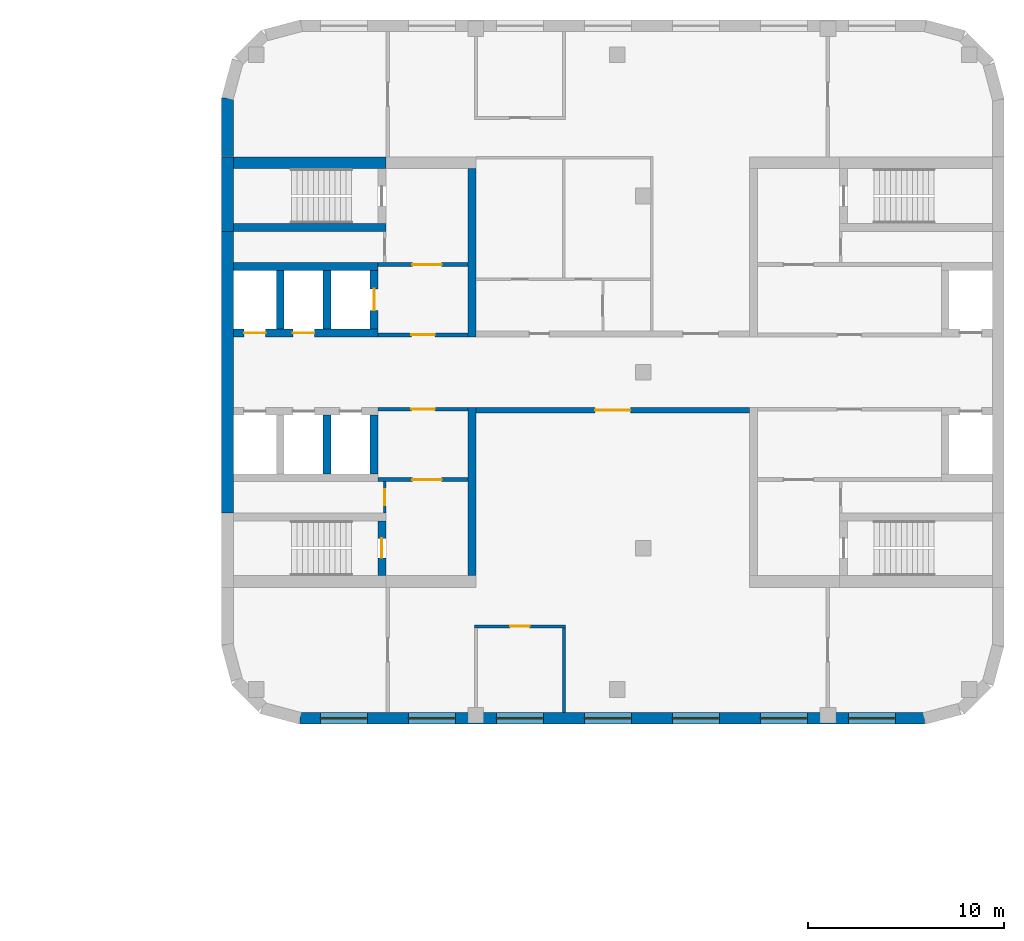
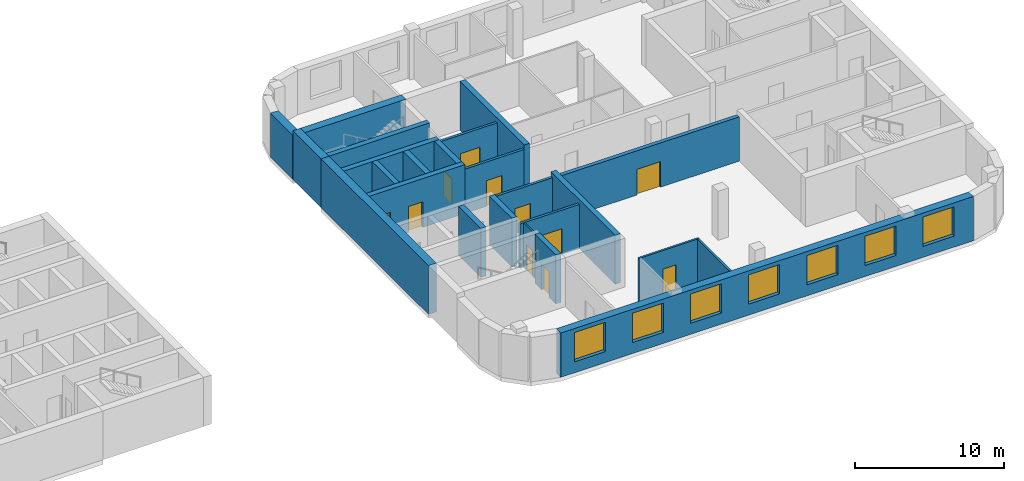
# One storey, part 7 of 12: 24 walls, 11 doors, 7 windows, 18 openings.
"""IFC4 building model written with IfcOpenShell, lengths in metres."""

from ifc_helpers import new_model, si_unit, direction, frame, frame_2d, origin, place, context, subcontext, project, spatial, rectangle, extrude, material, layer, layer_set, type_object, element, fill, save


model = new_model("IFC4")

# Units and contexts
model_context = context("Model", 3, precision=1e-05, world=origin(), true_north=direction((0.0, 1.0)))
body_context = subcontext(model_context, "Body", "Model", "MODEL_VIEW")
ifc_project = project(units=[si_unit("LENGTHUNIT", "METRE"), si_unit("AREAUNIT", "SQUARE_METRE"), si_unit("VOLUMEUNIT", "CUBIC_METRE"), si_unit("PLANEANGLEUNIT", "RADIAN"), si_unit("MASSUNIT", "GRAM", prefix="KILO")], contexts=[model_context])

# Site, building, storey
site_placement = place(None, origin())
site = spatial("IfcSite", under=ifc_project, at=site_placement, CompositionType="ELEMENT")
building_placement = place(site_placement, origin())
building = spatial("IfcBuilding", under=site, at=building_placement, Name="Skarvind Civic Tower", CompositionType="ELEMENT")
storey_placement = place(building_placement, frame((0.0, 0.0, 47.5)))
storey = spatial("IfcBuildingStorey", under=building, at=storey_placement, Name="L10", CompositionType="ELEMENT", Elevation=47.5)

# Wall, opening, door
ifc_material_1 = material(Name="Fire-rated gypsum board on steel studs", Category="steel")
ifc_layer_1 = layer(ifc_material_1, 0.300048828125)
ifc_layer_set_1 = layer_set([ifc_layer_1], Name="CORRIDOR WALL 300")
wall_type_1 = type_object("IfcWallType", Name="CORRIDOR WALL 300", PredefinedType="PARTITIONING", material=ifc_layer_set_1)
wall_1_placement = place(storey_placement, frame((154.0, 126.050048828125, 0.0), z_axis=(0.0, 0.0, 1.0), x_axis=(-1.0, 0.0, 0.0)))
wall_1 = element("IfcWall", 1, at=wall_1_placement, inside=storey, type_object=wall_type_1, Name="Partition 10.015", PredefinedType="PARTITIONING", context=body_context, shape_type="SweptSolid", body=[
    extrude(rectangle(XDim=14.0, YDim=0.300048828125, at=frame_2d((7.0, 0.0))), origin(), (0.0, 0.0, 1.0), 3.625),
])
opening_1_placement = place(wall_1_placement, frame((6.10009765625, 0.0, 0.0)))
opening_1 = element("IfcOpeningElement", 2, at=opening_1_placement, cuts=wall_1, Name="Opening L10-D109", PredefinedType="OPENING", context=body_context, shape_type="SweptSolid", body=[
    extrude(rectangle(XDim=1.800048828125, YDim=2.10009765625, at=frame_2d((0.89990234375, 1.050048828125))), frame((0.0, 0.159912109375, 0.0), z_axis=(0.0, -1.0, 0.0), x_axis=(1.0, 0.0, 0.0)), (0.0, 0.0, 1.0), 0.320068359375),
])
ifc_material_2 = material(Name="Fire-rated timber door leaf", Category="wood")
door_type_1 = type_object("IfcDoorType", Name="FD4 1800x2100", OperationType="NOTDEFINED", PredefinedType="DOOR", material=ifc_material_2)
door_1_placement = place(opening_1_placement, origin())
door_1 = element("IfcDoor", 3, at=door_1_placement, inside=storey, type_object=door_type_1, Name="Door L10-D109", OperationType="DOUBLE_DOOR_SINGLE_SWING", OverallHeight=2.10009765625, OverallWidth=1.800048828125, PredefinedType="DOOR", context=body_context, shape_type="SweptSolid", body=[
    extrude(rectangle(XDim=1.800048828125, YDim=2.10009765625, at=frame_2d((0.89990234375, 1.050048828125))), frame((0.0, 0.02490234375, 0.0), z_axis=(0.0, -1.0, 0.0), x_axis=(1.0, 0.0, 0.0)), (0.0, 0.0, 1.0), 0.050048828125),
])
fill(opening_1, door_1)

ifc_material_3 = material(Name="Fire-rated masonry partition", Category="masonry")
ifc_layer_2 = layer(ifc_material_3, 0.199951171875)
ifc_layer_set_2 = layer_set([ifc_layer_2], Name="Core enclosure wall 200")
wall_type_2 = type_object("IfcWallType", Name="Core enclosure wall 200", PredefinedType="PARTITIONING", material=ifc_layer_set_2)
wall_2_placement = place(storey_placement, frame((135.0, 129.89990234375, 0.0), z_axis=(0.0, 0.0, 1.0), x_axis=(1.0, 0.0, 0.0)))
wall_2 = element("IfcWall", 4, at=wall_2_placement, inside=storey, type_object=wall_type_2, Name="Core wall CA", PredefinedType="PARTITIONING", context=body_context, shape_type="SweptSolid", body=[
    extrude(rectangle(XDim=4.60009765625, YDim=0.199951171875, at=frame_2d((2.300048828125, 0.0))), origin(), (0.0, 0.0, 1.0), 3.625),
])
opening_2_placement = place(wall_2_placement, frame((1.699951171875, 0.0, 0.0)))
opening_2 = element("IfcOpeningElement", 5, at=opening_2_placement, cuts=wall_2, Name="Opening D-L10-CA-06", PredefinedType="OPENING", context=body_context, shape_type="SweptSolid", body=[
    extrude(rectangle(XDim=1.199951171875, YDim=2.10009765625, at=frame_2d((0.60009765625, 1.050048828125))), frame((0.0, 0.10986328125, 0.0), z_axis=(0.0, -1.0, 0.0), x_axis=(1.0, 0.0, 0.0)), (0.0, 0.0, 1.0), 0.219970703125),
])
ifc_material_4 = material(Name="Fire-rated steel door", Category="steel")
door_type_2 = type_object("IfcDoorType", Name="Core lobby door 1200", OperationType="NOTDEFINED", PredefinedType="DOOR", material=ifc_material_4)
door_2_placement = place(opening_2_placement, origin())
door_2 = element("IfcDoor", 6, at=door_2_placement, inside=storey, type_object=door_type_2, Name="Fire door", OperationType="DOUBLE_DOOR_SINGLE_SWING", OverallHeight=2.10009765625, OverallWidth=1.199951171875, PredefinedType="DOOR", context=body_context, shape_type="SweptSolid", body=[
    extrude(rectangle(XDim=1.199951171875, YDim=2.10009765625, at=frame_2d((0.60009765625, 1.050048828125))), frame((0.0, 0.02490234375, 0.0), z_axis=(0.0, -1.0, 0.0), x_axis=(1.0, 0.0, 0.0)), (0.0, 0.0, 1.0), 0.050048828125),
])
fill(opening_2, door_2)

wall_3_placement = place(storey_placement, frame((135.0, 133.5, 0.0), z_axis=(0.0, 0.0, 1.0), x_axis=(1.0, 0.0, 0.0)))
wall_3 = element("IfcWall", 7, at=wall_3_placement, inside=storey, type_object=wall_type_2, Name="Core wall CA", PredefinedType="PARTITIONING", context=body_context, shape_type="SweptSolid", body=[
    extrude(rectangle(XDim=4.60009765625, YDim=0.199951171875, at=frame_2d((2.300048828125, 0.0))), origin(), (0.0, 0.0, 1.0), 3.625),
])
opening_3_placement = place(wall_3_placement, frame((1.75, 0.0, 0.0)))
opening_3 = element("IfcOpeningElement", 8, at=opening_3_placement, cuts=wall_3, Name="Opening D-L10-CA-07", PredefinedType="OPENING", context=body_context, shape_type="SweptSolid", body=[
    extrude(rectangle(XDim=1.5, YDim=2.10009765625, at=frame_2d((0.75, 1.050048828125))), frame((0.0, 0.10986328125, 0.0), z_axis=(0.0, -1.0, 0.0), x_axis=(1.0, 0.0, 0.0)), (0.0, 0.0, 1.0), 0.219970703125),
])
door_type_3 = type_object("IfcDoorType", Name="Fire door 1500", OperationType="NOTDEFINED", PredefinedType="DOOR", material=ifc_material_4)
door_3_placement = place(opening_3_placement, origin())
door_3 = element("IfcDoor", 9, at=door_3_placement, inside=storey, type_object=door_type_3, Name="Fire door", OperationType="DOUBLE_DOOR_SINGLE_SWING", OverallHeight=2.10009765625, OverallWidth=1.5, PredefinedType="DOOR", context=body_context, shape_type="SweptSolid", body=[
    extrude(rectangle(XDim=1.5, YDim=2.10009765625, at=frame_2d((0.75, 1.050048828125))), frame((0.0, 0.02490234375, 0.0), z_axis=(0.0, -1.0, 0.0), x_axis=(1.0, 0.0, 0.0)), (0.0, 0.0, 1.0), 0.050048828125),
])
fill(opening_3, door_3)

wall_4_placement = place(storey_placement, frame((139.60009765625, 126.10009765625, 0.0), z_axis=(0.0, 0.0, 1.0), x_axis=(-1.0, 0.0, 0.0)))
wall_4 = element("IfcWall", 10, at=wall_4_placement, inside=storey, type_object=wall_type_2, Name="Core wall CA", PredefinedType="PARTITIONING", context=body_context, shape_type="SweptSolid", body=[
    extrude(rectangle(XDim=4.60009765625, YDim=0.199951171875, at=frame_2d((2.300048828125, 0.0))), origin(), (0.0, 0.0, 1.0), 3.625),
])
opening_4_placement = place(wall_4_placement, frame((1.699951171875, 0.0, 0.0)))
opening_4 = element("IfcOpeningElement", 11, at=opening_4_placement, cuts=wall_4, Name="Opening D-L10-CA-10", PredefinedType="OPENING", context=body_context, shape_type="SweptSolid", body=[
    extrude(rectangle(XDim=1.199951171875, YDim=2.10009765625, at=frame_2d((0.60009765625, 1.050048828125))), frame((0.0, 0.10986328125, 0.0), z_axis=(0.0, -1.0, 0.0), x_axis=(1.0, 0.0, 0.0)), (0.0, 0.0, 1.0), 0.219970703125),
])
door_4_placement = place(opening_4_placement, origin())
door_4 = element("IfcDoor", 12, at=door_4_placement, inside=storey, type_object=door_type_2, Name="Fire door", OperationType="DOUBLE_DOOR_SINGLE_SWING", OverallHeight=2.10009765625, OverallWidth=1.199951171875, PredefinedType="DOOR", context=body_context, shape_type="SweptSolid", body=[
    extrude(rectangle(XDim=1.199951171875, YDim=2.10009765625, at=frame_2d((0.60009765625, 1.050048828125))), frame((0.0, 0.02490234375, 0.0), z_axis=(0.0, -1.0, 0.0), x_axis=(1.0, 0.0, 0.0)), (0.0, 0.0, 1.0), 0.050048828125),
])
fill(opening_4, door_4)

wall_5_placement = place(storey_placement, frame((139.60009765625, 122.5, 0.0), z_axis=(0.0, 0.0, 1.0), x_axis=(-1.0, 0.0, 0.0)))
wall_5 = element("IfcWall", 13, at=wall_5_placement, inside=storey, type_object=wall_type_2, Name="Core wall CA", PredefinedType="PARTITIONING", context=body_context, shape_type="SweptSolid", body=[
    extrude(rectangle(XDim=4.60009765625, YDim=0.199951171875, at=frame_2d((2.300048828125, 0.0))), origin(), (0.0, 0.0, 1.0), 3.625),
])
opening_5_placement = place(wall_5_placement, frame((1.35009765625, 0.0, 0.0)))
opening_5 = element("IfcOpeningElement", 14, at=opening_5_placement, cuts=wall_5, Name="Opening D-L10-CA-11", PredefinedType="OPENING", context=body_context, shape_type="SweptSolid", body=[
    extrude(rectangle(XDim=1.5, YDim=2.10009765625, at=frame_2d((0.75, 1.050048828125))), frame((0.0, 0.10986328125, 0.0), z_axis=(0.0, -1.0, 0.0), x_axis=(1.0, 0.0, 0.0)), (0.0, 0.0, 1.0), 0.219970703125),
])
door_5_placement = place(opening_5_placement, origin())
door_5 = element("IfcDoor", 15, at=door_5_placement, inside=storey, type_object=door_type_3, Name="Fire door", OperationType="DOUBLE_DOOR_SINGLE_SWING", OverallHeight=2.10009765625, OverallWidth=1.5, PredefinedType="DOOR", context=body_context, shape_type="SweptSolid", body=[
    extrude(rectangle(XDim=1.5, YDim=2.10009765625, at=frame_2d((0.75, 1.050048828125))), frame((0.0, 0.02490234375, 0.0), z_axis=(0.0, -1.0, 0.0), x_axis=(1.0, 0.0, 0.0)), (0.0, 0.0, 1.0), 0.050048828125),
])
fill(opening_5, door_5)

ifc_material_5 = material(Name="Concrete C80", Category="concrete")
ifc_layer_3 = layer(ifc_material_5, 0.39990234375)
ifc_layer_set_3 = layer_set([ifc_layer_3], Name="Core wall 400 C80")
wall_type_3 = type_object("IfcWallType", Name="Core wall 400 C80", PredefinedType="SHEAR", material=ifc_layer_set_3)
wall_6_placement = place(storey_placement, frame((135.199951171875, 117.60009765625, 0.0), z_axis=(0.0, 0.0, 1.0), x_axis=(0.0, 1.0, 0.0)))
wall_6 = element("IfcWall", 16, at=wall_6_placement, inside=storey, type_object=wall_type_3, Name="Core wall CA south stair end L10", PredefinedType="SHEAR", context=body_context, shape_type="SweptSolid", body=[
    extrude(rectangle(XDim=2.7998046875, YDim=0.39990234375, at=frame_2d((1.39990234375, 0.0))), origin(), (0.0, 0.0, 1.0), 4.0),
])
opening_6_placement = place(wall_6_placement, frame((0.89990234375, 0.0, 0.0)))
opening_6 = element("IfcOpeningElement", 17, at=opening_6_placement, cuts=wall_6, Name="Opening D-L10-CA-12", PredefinedType="OPENING", context=body_context, shape_type="SweptSolid", body=[
    extrude(rectangle(XDim=1.0, YDim=2.10009765625, at=frame_2d((0.5, 1.050048828125))), frame((0.0, 0.2099609375, 0.0), z_axis=(0.0, -1.0, 0.0), x_axis=(1.0, 0.0, 0.0)), (0.0, 0.0, 1.0), 0.419921875),
])
door_type_4 = type_object("IfcDoorType", Name="Fire door 1000", OperationType="NOTDEFINED", PredefinedType="DOOR", material=ifc_material_4)
door_6_placement = place(opening_6_placement, origin())
door_6 = element("IfcDoor", 18, at=door_6_placement, inside=storey, type_object=door_type_4, Name="Fire door", OperationType="SINGLE_SWING_RIGHT", OverallHeight=2.10009765625, OverallWidth=1.0, PredefinedType="DOOR", context=body_context, shape_type="SweptSolid", body=[
    extrude(rectangle(XDim=1.0, YDim=2.10009765625, at=frame_2d((0.5, 1.050048828125))), frame((0.0, 0.02490234375, 0.0), z_axis=(0.0, -1.0, 0.0), x_axis=(1.0, 0.0, 0.0)), (0.0, 0.0, 1.0), 0.050048828125),
])
fill(opening_6, door_6)

# Walls
wall_7_placement = place(storey_placement, frame((127.60009765625, 135.39990234375, 0.0), z_axis=(0.0, 0.0, 1.0), x_axis=(1.0, 0.0, 0.0)))
element("IfcWall", 19, at=wall_7_placement, inside=storey, type_object=wall_type_3, Name="Core wall CA north stair inner L10", PredefinedType="SHEAR", context=body_context, shape_type="SweptSolid", body=[
    extrude(rectangle(XDim=7.7998046875, YDim=0.39990234375, at=frame_2d((3.89990234375, 0.0))), origin(), (0.0, 0.0, 1.0), 4.0),
])
for number, where, z_axis, x_axis, name in (
    (20, (132.39990234375, 122.800048828125, 0.0), (0.0, 0.0, 1.0), (0.0, 1.0, 0.0), "Core wall CA south lift row division 2 L10"),
    (21, (134.800048828125, 122.800048828125, 0.0), (0.0, 0.0, 1.0), (0.0, 1.0, 0.0), "Core wall CA south lift row division 3 L10"),
):
    element("IfcWall", number, at=place(storey_placement, frame(where, z_axis=z_axis, x_axis=x_axis)), inside=storey, type_object=wall_type_3, Name=name, PredefinedType="SHEAR", context=body_context, shape_type="SweptSolid", body=[
        extrude(rectangle(XDim=3.0, YDim=0.39990234375, at=frame_2d((1.5, 0.0))), origin(), (0.0, 0.0, 1.0), 4.0),
    ])

# Wall, openings, doors
wall_8_placement = place(storey_placement, frame((127.60009765625, 130.0, 0.0), z_axis=(0.0, 0.0, 1.0), x_axis=(1.0, 0.0, 0.0)))
wall_8 = element("IfcWall", 22, at=wall_8_placement, inside=storey, type_object=wall_type_3, Name="Core wall CA north lift row front L10", PredefinedType="SHEAR", context=body_context, shape_type="SweptSolid", body=[
    extrude(rectangle(XDim=7.39990234375, YDim=0.39990234375, at=frame_2d((3.699951171875, 0.0))), origin(), (0.0, 0.0, 1.0), 4.0),
])
opening_7_placement = place(wall_8_placement, frame((0.550048828125, 0.0, 0.0)))
opening_7 = element("IfcOpeningElement", 23, at=opening_7_placement, cuts=wall_8, Name="Opening LD12301", PredefinedType="OPENING", context=body_context, shape_type="SweptSolid", body=[
    extrude(rectangle(XDim=1.10009765625, YDim=2.10009765625, at=frame_2d((0.550048828125, 1.050048828125))), frame((0.0, 0.2099609375, 0.0), z_axis=(0.0, -1.0, 0.0), x_axis=(1.0, 0.0, 0.0)), (0.0, 0.0, 1.0), 0.419921875),
])
opening_8_placement = place(wall_8_placement, frame((3.050048828125, 0.0, 0.0)))
opening_8 = element("IfcOpeningElement", 24, at=opening_8_placement, cuts=wall_8, Name="Opening LD12302", PredefinedType="OPENING", context=body_context, shape_type="SweptSolid", body=[
    extrude(rectangle(XDim=1.10009765625, YDim=2.10009765625, at=frame_2d((0.550048828125, 1.050048828125))), frame((0.0, 0.2099609375, 0.0), z_axis=(0.0, -1.0, 0.0), x_axis=(1.0, 0.0, 0.0)), (0.0, 0.0, 1.0), 0.419921875),
])
ifc_material_6 = material(Name="Stainless steel landing door", Category="steel")
door_type_5 = type_object("IfcDoorType", Name="Lift landing door 1100", OperationType="DOUBLE_DOOR_SLIDING", PredefinedType="DOOR", material=ifc_material_6)
door_7_placement = place(opening_7_placement, origin())
door_7 = element("IfcDoor", 25, at=door_7_placement, inside=storey, type_object=door_type_5, Name="Lift landing door", OperationType="DOUBLE_DOOR_SLIDING", OverallHeight=2.10009765625, OverallWidth=1.10009765625, PredefinedType="DOOR", context=body_context, shape_type="SweptSolid", body=[
    extrude(rectangle(XDim=1.10009765625, YDim=2.10009765625, at=frame_2d((0.550048828125, 1.050048828125))), frame((0.0, 0.02490234375, 0.0), z_axis=(0.0, -1.0, 0.0), x_axis=(1.0, 0.0, 0.0)), (0.0, 0.0, 1.0), 0.050048828125),
])
fill(opening_7, door_7)
door_8_placement = place(opening_8_placement, origin())
door_8 = element("IfcDoor", 26, at=door_8_placement, inside=storey, type_object=door_type_5, Name="Lift landing door", OperationType="DOUBLE_DOOR_SLIDING", OverallHeight=2.10009765625, OverallWidth=1.10009765625, PredefinedType="DOOR", context=body_context, shape_type="SweptSolid", body=[
    extrude(rectangle(XDim=1.10009765625, YDim=2.10009765625, at=frame_2d((0.550048828125, 1.050048828125))), frame((0.0, 0.02490234375, 0.0), z_axis=(0.0, -1.0, 0.0), x_axis=(1.0, 0.0, 0.0)), (0.0, 0.0, 1.0), 0.050048828125),
])
fill(opening_8, door_8)

# Walls
wall_9_placement = place(storey_placement, frame((127.60009765625, 133.39990234375, 0.0), z_axis=(0.0, 0.0, 1.0), x_axis=(1.0, 0.0, 0.0)))
element("IfcWall", 27, at=wall_9_placement, inside=storey, type_object=wall_type_3, Name="Core wall CA north lift row back L10", PredefinedType="SHEAR", context=body_context, shape_type="SweptSolid", body=[
    extrude(rectangle(XDim=7.39990234375, YDim=0.39990234375, at=frame_2d((3.699951171875, 0.0))), origin(), (0.0, 0.0, 1.0), 4.0),
])
for number, where, z_axis, x_axis, name in (
    (28, (130.0, 130.199951171875, 0.0), (0.0, 0.0, 1.0), (0.0, 1.0, 0.0), "Core wall CA north lift row division 1 L10"),
    (29, (132.39990234375, 130.199951171875, 0.0), (0.0, 0.0, 1.0), (0.0, 1.0, 0.0), "Core wall CA north lift row division 2 L10"),
):
    element("IfcWall", number, at=place(storey_placement, frame(where, z_axis=z_axis, x_axis=x_axis)), inside=storey, type_object=wall_type_3, Name=name, PredefinedType="SHEAR", context=body_context, shape_type="SweptSolid", body=[
        extrude(rectangle(XDim=3.0, YDim=0.39990234375, at=frame_2d((1.5, 0.0))), origin(), (0.0, 0.0, 1.0), 4.0),
    ])

# Wall, opening, door
wall_10_placement = place(storey_placement, frame((134.800048828125, 130.199951171875, 0.0), z_axis=(0.0, 0.0, 1.0), x_axis=(0.0, 1.0, 0.0)))
wall_10 = element("IfcWall", 30, at=wall_10_placement, inside=storey, type_object=wall_type_3, Name="Core wall CA north lift row division 3 L10", PredefinedType="SHEAR", context=body_context, shape_type="SweptSolid", body=[
    extrude(rectangle(XDim=3.0, YDim=0.39990234375, at=frame_2d((1.5, 0.0))), origin(), (0.0, 0.0, 1.0), 4.0),
])
opening_9_placement = place(wall_10_placement, frame((0.949951171875, 0.0, 0.0)))
opening_9 = element("IfcOpeningElement", 31, at=opening_9_placement, cuts=wall_10, Name="Opening LD12303", PredefinedType="OPENING", context=body_context, shape_type="SweptSolid", body=[
    extrude(rectangle(XDim=1.10009765625, YDim=2.10009765625, at=frame_2d((0.550048828125, 1.050048828125))), frame((0.0, 0.2099609375, 0.0), z_axis=(0.0, -1.0, 0.0), x_axis=(1.0, 0.0, 0.0)), (0.0, 0.0, 1.0), 0.419921875),
])
door_9_placement = place(opening_9_placement, origin())
door_9 = element("IfcDoor", 32, at=door_9_placement, inside=storey, type_object=door_type_5, Name="Lift landing door", OperationType="DOUBLE_DOOR_SLIDING", OverallHeight=2.10009765625, OverallWidth=1.10009765625, PredefinedType="DOOR", context=body_context, shape_type="SweptSolid", body=[
    extrude(rectangle(XDim=1.10009765625, YDim=2.10009765625, at=frame_2d((0.550048828125, 1.050048828125))), frame((0.0, 0.02490234375, 0.0), z_axis=(0.0, -1.0, 0.0), x_axis=(1.0, 0.0, 0.0)), (0.0, 0.0, 1.0), 0.050048828125),
])
fill(opening_9, door_9)

# Walls
for number, where, z_axis, x_axis, name in (
    (33, (139.800048828125, 117.60009765625, 0.0), (0.0, 0.0, 1.0), (0.0, 1.0, 0.0), "Core wall CA south inner face L10"),
    (34, (139.800048828125, 129.800048828125, 0.0), (0.0, 0.0, 1.0), (0.0, 1.0, 0.0), "Core wall CA north inner face L10"),
):
    element("IfcWall", number, at=place(storey_placement, frame(where, z_axis=z_axis, x_axis=x_axis)), inside=storey, type_object=wall_type_3, Name=name, PredefinedType="SHEAR", context=body_context, shape_type="SweptSolid", body=[
        extrude(rectangle(XDim=8.599853515625, YDim=0.39990234375, at=frame_2d((4.2998046875, 0.0))), origin(), (0.0, 0.0, 1.0), 4.0),
    ])
ifc_layer_4 = layer(ifc_material_5, 0.60009765625)
ifc_layer_set_4 = layer_set([ifc_layer_4], Name="Core wall 600 C80")
wall_type_4 = type_object("IfcWallType", Name="Core wall 600 C80", PredefinedType="SHEAR", material=ifc_layer_set_4)
wall_11_placement = place(storey_placement, frame((127.300048828125, 120.800048828125, 0.0), z_axis=(0.0, 0.0, 1.0), x_axis=(0.0, 1.0, 0.0)))
element("IfcWall", 35, at=wall_11_placement, inside=storey, type_object=wall_type_4, Name="Core wall CA tip between the stairs L10", PredefinedType="SHEAR", context=body_context, shape_type="SweptSolid", body=[
    extrude(rectangle(XDim=14.39990234375, YDim=0.60009765625, at=frame_2d((7.199951171875, 0.0))), origin(), (0.0, 0.0, 1.0), 4.0),
])
wall_12_placement = place(storey_placement, frame((127.300048828125, 135.199951171875, 0.0), z_axis=(0.0, 0.0, 1.0), x_axis=(0.0, 1.0, 0.0)))
element("IfcWall", 36, at=wall_12_placement, inside=storey, type_object=wall_type_4, Name="Core wall CA tip at the north stair L10", PredefinedType="SHEAR", context=body_context, shape_type="SweptSolid", body=[
    extrude(rectangle(XDim=3.800048828125, YDim=0.60009765625, at=frame_2d((1.89990234375, 0.0))), origin(), (0.0, 0.0, 1.0), 4.0),
])
wall_13_placement = place(storey_placement, frame((127.60009765625, 138.699951171875, 0.0), z_axis=(0.0, 0.0, 1.0), x_axis=(1.0, 0.0, 0.0)))
element("IfcWall", 37, at=wall_13_placement, inside=storey, type_object=wall_type_4, Name="Core wall CA north side at the stair L10", PredefinedType="SHEAR", context=body_context, shape_type="SweptSolid", body=[
    extrude(rectangle(XDim=7.7998046875, YDim=0.60009765625, at=frame_2d((3.89990234375, 0.0))), origin(), (0.0, 0.0, 1.0), 4.0),
])

# Wall, opening, door
ifc_material_7 = material(Name="Plasterboard partition on steel studs", Category="steel")
ifc_layer_5 = layer(ifc_material_7, 0.14990234375)
ifc_layer_set_5 = layer_set([ifc_layer_5], Name="PARTITION 150")
wall_type_5 = type_object("IfcWallType", Name="PARTITION 150", PredefinedType="PARTITIONING", material=ifc_layer_set_5)
wall_14_placement = place(storey_placement, frame((139.925048828125, 115.0, 0.0), z_axis=(0.0, 0.0, 1.0), x_axis=(1.0, 0.0, 0.0)))
wall_14 = element("IfcWall", 38, at=wall_14_placement, inside=storey, type_object=wall_type_5, Name="Partition 10.004", PredefinedType="PARTITIONING", context=body_context, shape_type="SweptSolid", body=[
    extrude(rectangle(XDim=4.64990234375, YDim=0.14990234375, at=frame_2d((2.324951171875, 0.0))), origin(), (0.0, 0.0, 1.0), 3.625),
])
opening_10_placement = place(wall_14_placement, frame((1.824951171875, 0.0, 0.0)))
opening_10 = element("IfcOpeningElement", 39, at=opening_10_placement, cuts=wall_14, Name="Opening L10-D110", PredefinedType="OPENING", context=body_context, shape_type="SweptSolid", body=[
    extrude(rectangle(XDim=1.0, YDim=2.10009765625, at=frame_2d((0.5, 1.050048828125))), frame((0.0, 0.0849609375, 0.0), z_axis=(0.0, -1.0, 0.0), x_axis=(1.0, 0.0, 0.0)), (0.0, 0.0, 1.0), 0.169921875),
])
ifc_material_8 = material(Name="Timber door leaf", Category="wood")
door_type_6 = type_object("IfcDoorType", Name="D1 1000x2100", OperationType="NOTDEFINED", PredefinedType="DOOR", material=ifc_material_8)
door_10_placement = place(opening_10_placement, origin())
door_10 = element("IfcDoor", 40, at=door_10_placement, inside=storey, type_object=door_type_6, Name="Door L10-D110", OperationType="SINGLE_SWING_LEFT", OverallHeight=2.10009765625, OverallWidth=1.0, PredefinedType="DOOR", context=body_context, shape_type="SweptSolid", body=[
    extrude(rectangle(XDim=1.0, YDim=2.10009765625, at=frame_2d((0.5, 1.050048828125))), frame((0.0, 0.02490234375, 0.0), z_axis=(0.0, -1.0, 0.0), x_axis=(1.0, 0.0, 0.0)), (0.0, 0.0, 1.0), 0.050048828125),
])
fill(opening_10, door_10)

# Wall
wall_15_placement = place(storey_placement, frame((144.5, 114.925048828125, 0.0), z_axis=(0.0, 0.0, 1.0), x_axis=(0.0, -1.0, 0.0)))
element("IfcWall", 41, at=wall_15_placement, inside=storey, type_object=wall_type_5, Name="Partition 10.009", PredefinedType="PARTITIONING", context=body_context, shape_type="SweptSolid", body=[
    extrude(rectangle(XDim=4.324951171875, YDim=0.14990234375, at=frame_2d((2.16259765625, 0.0))), origin(), (0.0, 0.0, 1.0), 3.625),
])

# Wall, opening, door
ifc_layer_6 = layer(ifc_material_3, 0.125)
ifc_layer_set_6 = layer_set([ifc_layer_6], Name="Riser wall 125")
wall_type_6 = type_object("IfcWallType", Name="Riser wall 125", PredefinedType="PARTITIONING", material=ifc_layer_set_6)
wall_16_placement = place(storey_placement, frame((135.33740234375, 122.39990234375, 0.0), z_axis=(0.0, 0.0, 1.0), x_axis=(0.0, -1.0, 0.0)))
wall_16 = element("IfcWall", 42, at=wall_16_placement, inside=storey, type_object=wall_type_6, Name="Core wall CA", PredefinedType="PARTITIONING", context=body_context, shape_type="SweptSolid", body=[
    extrude(rectangle(XDim=1.599853515625, YDim=0.125, at=frame_2d((0.7998046875, 0.0))), origin(), (0.0, 0.0, 1.0), 3.625),
])
opening_11_placement = place(wall_16_placement, frame((0.39990234375, 0.0, 0.0)))
opening_11 = element("IfcOpeningElement", 43, at=opening_11_placement, cuts=wall_16, Name="Opening D-L10-CA-13", PredefinedType="OPENING", context=body_context, shape_type="SweptSolid", body=[
    extrude(rectangle(XDim=0.800048828125, YDim=2.10009765625, at=frame_2d((0.39990234375, 1.050048828125))), frame((0.0, 0.072509765625, 0.0), z_axis=(0.0, -1.0, 0.0), x_axis=(1.0, 0.0, 0.0)), (0.0, 0.0, 1.0), 0.14501953125),
])
door_type_7 = type_object("IfcDoorType", Name="Core riser door 800", OperationType="NOTDEFINED", PredefinedType="DOOR", material=ifc_material_4)
door_11_placement = place(opening_11_placement, origin())
door_11 = element("IfcDoor", 44, at=door_11_placement, inside=storey, type_object=door_type_7, Name="Riser door", OperationType="SINGLE_SWING_LEFT", OverallHeight=2.10009765625, OverallWidth=0.800048828125, PredefinedType="DOOR", context=body_context, shape_type="SweptSolid", body=[
    extrude(rectangle(XDim=0.800048828125, YDim=2.10009765625, at=frame_2d((0.39990234375, 1.050048828125))), frame((0.0, 0.02490234375, 0.0), z_axis=(0.0, -1.0, 0.0), x_axis=(1.0, 0.0, 0.0)), (0.0, 0.0, 1.0), 0.050048828125),
])
fill(opening_11, door_11)

# Wall
ifc_material_9 = material(Name="Limestone masonry cladding on insulated backing", Category="masonry")
ifc_layer_7 = layer(ifc_material_9, 0.60009765625)
ifc_layer_set_7 = layer_set([ifc_layer_7], Name="WX1 STONE FACADE WALL 600")
wall_type_7 = type_object("IfcWallType", Name="WX1 STONE FACADE WALL 600", PredefinedType="SOLIDWALL", material=ifc_layer_set_7)
wall_17_placement = place(storey_placement, frame((127.300048828125, 139.02001953125, 0.0), z_axis=(0.0, 0.0, 1.0), x_axis=(0.0, 1.0, 0.0)))
element("IfcWall", 45, at=wall_17_placement, inside=storey, type_object=wall_type_7, Name="STONE FACADE WALL", PredefinedType="SOLIDWALL", context=body_context, shape_type="SweptSolid", body=[
    extrude(rectangle(XDim=2.97998046875, YDim=0.60009765625, at=frame_2d((1.489990234375, 0.0))), origin(), (0.0, 0.0, 1.0), 3.625),
])

# Wall, openings, windows
wall_18_placement = place(storey_placement, frame((162.929931640625, 110.300048828125, 0.0), z_axis=(0.0, 0.0, 1.0), x_axis=(-1.0, 0.0, 0.0)))
wall_18 = element("IfcWall", 46, at=wall_18_placement, inside=storey, type_object=wall_type_7, Name="STONE FACADE WALL", PredefinedType="SOLIDWALL", context=body_context, shape_type="SweptSolid", body=[
    extrude(rectangle(XDim=31.929931640625, YDim=0.60009765625, at=frame_2d((15.96484375, 0.0))), origin(), (0.0, 0.0, 1.0), 3.625),
])
opening_12_placement = place(wall_18_placement, frame((1.47998046875, 0.0, 0.89990234375)))
opening_12 = element("IfcOpeningElement", 47, at=opening_12_placement, cuts=wall_18, Name="Opening WN9", PredefinedType="OPENING", context=body_context, shape_type="SweptSolid", body=[
    extrude(rectangle(XDim=2.39990234375, YDim=2.39990234375, at=frame_2d((1.199951171875, 1.199951171875))), frame((0.0, 0.31005859375, 0.0), z_axis=(0.0, -1.0, 0.0), x_axis=(1.0, 0.0, 0.0)), (0.0, 0.0, 1.0), 0.6201171875),
])
opening_13_placement = place(wall_18_placement, frame((5.97998046875, 0.0, 0.89990234375)))
opening_13 = element("IfcOpeningElement", 48, at=opening_13_placement, cuts=wall_18, Name="Opening WN9", PredefinedType="OPENING", context=body_context, shape_type="SweptSolid", body=[
    extrude(rectangle(XDim=2.39990234375, YDim=2.39990234375, at=frame_2d((1.199951171875, 1.199951171875))), frame((0.0, 0.31005859375, 0.0), z_axis=(0.0, -1.0, 0.0), x_axis=(1.0, 0.0, 0.0)), (0.0, 0.0, 1.0), 0.6201171875),
])
opening_14_placement = place(wall_18_placement, frame((10.47998046875, 0.0, 0.89990234375)))
opening_14 = element("IfcOpeningElement", 49, at=opening_14_placement, cuts=wall_18, Name="Opening WN9", PredefinedType="OPENING", context=body_context, shape_type="SweptSolid", body=[
    extrude(rectangle(XDim=2.39990234375, YDim=2.39990234375, at=frame_2d((1.199951171875, 1.199951171875))), frame((0.0, 0.31005859375, 0.0), z_axis=(0.0, -1.0, 0.0), x_axis=(1.0, 0.0, 0.0)), (0.0, 0.0, 1.0), 0.6201171875),
])
opening_15_placement = place(wall_18_placement, frame((14.97998046875, 0.0, 0.89990234375)))
opening_15 = element("IfcOpeningElement", 50, at=opening_15_placement, cuts=wall_18, Name="Opening WN9", PredefinedType="OPENING", context=body_context, shape_type="SweptSolid", body=[
    extrude(rectangle(XDim=2.39990234375, YDim=2.39990234375, at=frame_2d((1.199951171875, 1.199951171875))), frame((0.0, 0.31005859375, 0.0), z_axis=(0.0, -1.0, 0.0), x_axis=(1.0, 0.0, 0.0)), (0.0, 0.0, 1.0), 0.6201171875),
])
opening_16_placement = place(wall_18_placement, frame((19.47998046875, 0.0, 0.89990234375)))
opening_16 = element("IfcOpeningElement", 51, at=opening_16_placement, cuts=wall_18, Name="Opening WN9", PredefinedType="OPENING", context=body_context, shape_type="SweptSolid", body=[
    extrude(rectangle(XDim=2.39990234375, YDim=2.39990234375, at=frame_2d((1.199951171875, 1.199951171875))), frame((0.0, 0.31005859375, 0.0), z_axis=(0.0, -1.0, 0.0), x_axis=(1.0, 0.0, 0.0)), (0.0, 0.0, 1.0), 0.6201171875),
])
opening_17_placement = place(wall_18_placement, frame((23.97998046875, 0.0, 0.89990234375)))
opening_17 = element("IfcOpeningElement", 52, at=opening_17_placement, cuts=wall_18, Name="Opening WN9", PredefinedType="OPENING", context=body_context, shape_type="SweptSolid", body=[
    extrude(rectangle(XDim=2.39990234375, YDim=2.39990234375, at=frame_2d((1.199951171875, 1.199951171875))), frame((0.0, 0.31005859375, 0.0), z_axis=(0.0, -1.0, 0.0), x_axis=(1.0, 0.0, 0.0)), (0.0, 0.0, 1.0), 0.6201171875),
])
opening_18_placement = place(wall_18_placement, frame((28.47998046875, 0.0, 0.89990234375)))
opening_18 = element("IfcOpeningElement", 53, at=opening_18_placement, cuts=wall_18, Name="Opening WN9", PredefinedType="OPENING", context=body_context, shape_type="SweptSolid", body=[
    extrude(rectangle(XDim=2.39990234375, YDim=2.39990234375, at=frame_2d((1.199951171875, 1.199951171875))), frame((0.0, 0.31005859375, 0.0), z_axis=(0.0, -1.0, 0.0), x_axis=(1.0, 0.0, 0.0)), (0.0, 0.0, 1.0), 0.6201171875),
])
ifc_material_10 = material(Name="Timber frame, double glazing, timber-lined reveal", Category="wood")
window_type = type_object("IfcWindowType", Name="WN9 COMPANION TOWER WINDOW 2400 x 2400", PartitioningType="SINGLE_PANEL", PredefinedType="WINDOW", material=ifc_material_10)
window_1_placement = place(opening_12_placement, origin())
window_1 = element("IfcWindow", 54, at=window_1_placement, inside=storey, type_object=window_type, Name="WN9 WINDOW", OverallHeight=2.39990234375, OverallWidth=2.39990234375, PartitioningType="SINGLE_PANEL", PredefinedType="WINDOW", context=body_context, shape_type="SweptSolid", body=[
    extrude(rectangle(XDim=2.39990234375, YDim=2.39990234375, at=frame_2d((1.199951171875, 1.199951171875))), frame((0.0, 0.030029296875, 0.0), z_axis=(0.0, -1.0, 0.0), x_axis=(1.0, 0.0, 0.0)), (0.0, 0.0, 1.0), 0.06005859375),
])
fill(opening_12, window_1)
window_2_placement = place(opening_13_placement, origin())
window_2 = element("IfcWindow", 55, at=window_2_placement, inside=storey, type_object=window_type, Name="WN9 WINDOW", OverallHeight=2.39990234375, OverallWidth=2.39990234375, PartitioningType="SINGLE_PANEL", PredefinedType="WINDOW", context=body_context, shape_type="SweptSolid", body=[
    extrude(rectangle(XDim=2.39990234375, YDim=2.39990234375, at=frame_2d((1.199951171875, 1.199951171875))), frame((0.0, 0.030029296875, 0.0), z_axis=(0.0, -1.0, 0.0), x_axis=(1.0, 0.0, 0.0)), (0.0, 0.0, 1.0), 0.06005859375),
])
fill(opening_13, window_2)
window_3_placement = place(opening_14_placement, origin())
window_3 = element("IfcWindow", 56, at=window_3_placement, inside=storey, type_object=window_type, Name="WN9 WINDOW", OverallHeight=2.39990234375, OverallWidth=2.39990234375, PartitioningType="SINGLE_PANEL", PredefinedType="WINDOW", context=body_context, shape_type="SweptSolid", body=[
    extrude(rectangle(XDim=2.39990234375, YDim=2.39990234375, at=frame_2d((1.199951171875, 1.199951171875))), frame((0.0, 0.030029296875, 0.0), z_axis=(0.0, -1.0, 0.0), x_axis=(1.0, 0.0, 0.0)), (0.0, 0.0, 1.0), 0.06005859375),
])
fill(opening_14, window_3)
window_4_placement = place(opening_15_placement, origin())
window_4 = element("IfcWindow", 57, at=window_4_placement, inside=storey, type_object=window_type, Name="WN9 WINDOW", OverallHeight=2.39990234375, OverallWidth=2.39990234375, PartitioningType="SINGLE_PANEL", PredefinedType="WINDOW", context=body_context, shape_type="SweptSolid", body=[
    extrude(rectangle(XDim=2.39990234375, YDim=2.39990234375, at=frame_2d((1.199951171875, 1.199951171875))), frame((0.0, 0.030029296875, 0.0), z_axis=(0.0, -1.0, 0.0), x_axis=(1.0, 0.0, 0.0)), (0.0, 0.0, 1.0), 0.06005859375),
])
fill(opening_15, window_4)
window_5_placement = place(opening_16_placement, origin())
window_5 = element("IfcWindow", 58, at=window_5_placement, inside=storey, type_object=window_type, Name="WN9 WINDOW", OverallHeight=2.39990234375, OverallWidth=2.39990234375, PartitioningType="SINGLE_PANEL", PredefinedType="WINDOW", context=body_context, shape_type="SweptSolid", body=[
    extrude(rectangle(XDim=2.39990234375, YDim=2.39990234375, at=frame_2d((1.199951171875, 1.199951171875))), frame((0.0, 0.030029296875, 0.0), z_axis=(0.0, -1.0, 0.0), x_axis=(1.0, 0.0, 0.0)), (0.0, 0.0, 1.0), 0.06005859375),
])
fill(opening_16, window_5)
window_6_placement = place(opening_17_placement, origin())
window_6 = element("IfcWindow", 59, at=window_6_placement, inside=storey, type_object=window_type, Name="WN9 WINDOW", OverallHeight=2.39990234375, OverallWidth=2.39990234375, PartitioningType="SINGLE_PANEL", PredefinedType="WINDOW", context=body_context, shape_type="SweptSolid", body=[
    extrude(rectangle(XDim=2.39990234375, YDim=2.39990234375, at=frame_2d((1.199951171875, 1.199951171875))), frame((0.0, 0.030029296875, 0.0), z_axis=(0.0, -1.0, 0.0), x_axis=(1.0, 0.0, 0.0)), (0.0, 0.0, 1.0), 0.06005859375),
])
fill(opening_17, window_6)
window_7_placement = place(opening_18_placement, origin())
window_7 = element("IfcWindow", 60, at=window_7_placement, inside=storey, type_object=window_type, Name="WN9 WINDOW", OverallHeight=2.39990234375, OverallWidth=2.39990234375, PartitioningType="SINGLE_PANEL", PredefinedType="WINDOW", context=body_context, shape_type="SweptSolid", body=[
    extrude(rectangle(XDim=2.39990234375, YDim=2.39990234375, at=frame_2d((1.199951171875, 1.199951171875))), frame((0.0, 0.030029296875, 0.0), z_axis=(0.0, -1.0, 0.0), x_axis=(1.0, 0.0, 0.0)), (0.0, 0.0, 1.0), 0.06005859375),
])
fill(opening_18, window_7)

save(model, "model.ifc")
